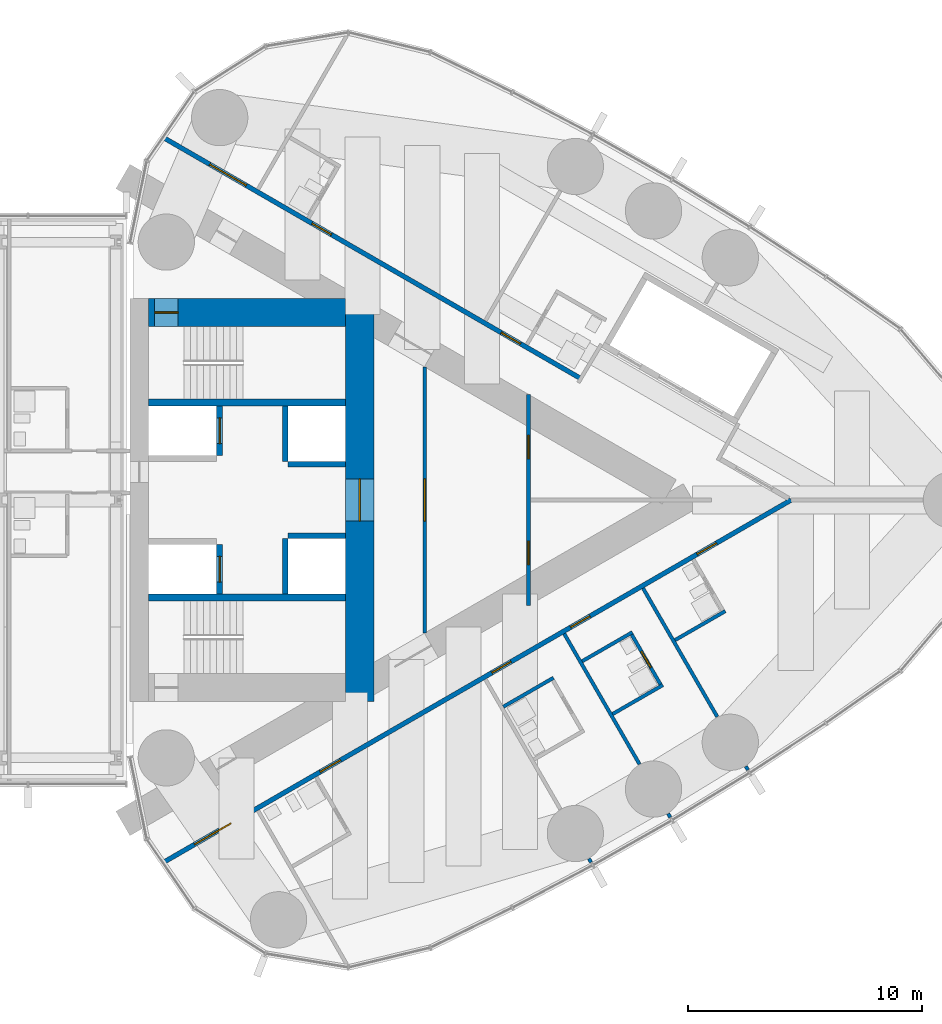
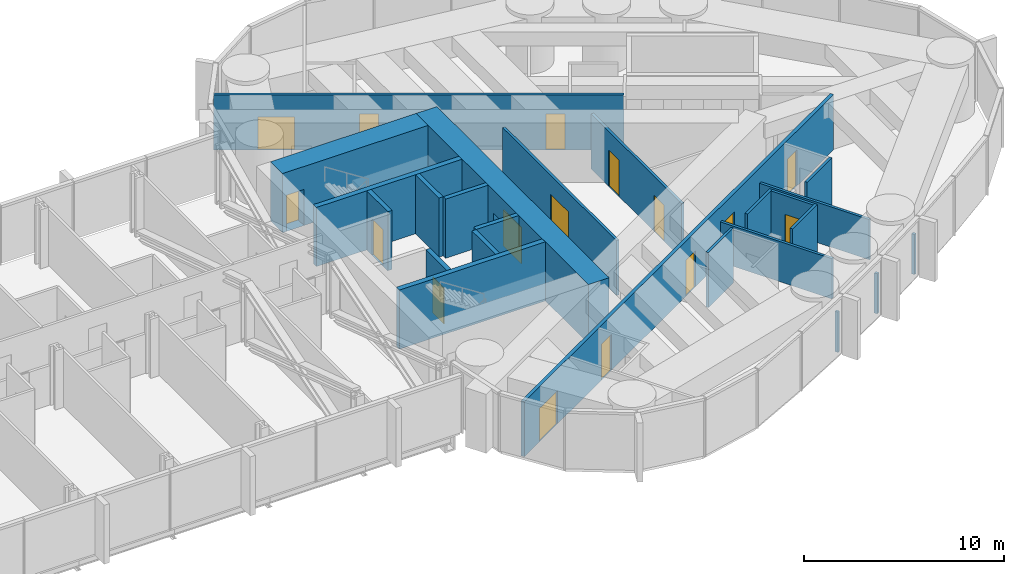
# One storey, part 19 of 23: 24 walls, 16 doors, 16 openings.
"""IFC4 building model written with IfcOpenShell, lengths in metres."""

from ifc_helpers import new_model, si_unit, direction, frame, frame_2d, origin, place, context, subcontext, project, spatial, rectangle, extrude, material, layer, layer_set, type_object, element, fill, save


model = new_model("IFC4")

# Units and contexts
model_context = context("Model", 3, precision=1e-05, world=origin(), true_north=direction((0.0, 1.0)))
body_context = subcontext(model_context, "Body", "Model", "MODEL_VIEW")
ifc_project = project(units=[si_unit("LENGTHUNIT", "METRE"), si_unit("AREAUNIT", "SQUARE_METRE"), si_unit("VOLUMEUNIT", "CUBIC_METRE"), si_unit("PLANEANGLEUNIT", "RADIAN"), si_unit("MASSUNIT", "GRAM", prefix="KILO")], contexts=[model_context])

# Site, building, storey
site_placement = place(None, origin())
site = spatial("IfcSite", under=ifc_project, at=site_placement, CompositionType="ELEMENT")
building_placement = place(site_placement, origin())
building = spatial("IfcBuilding", under=site, at=building_placement, Name="Lancet Gate Hotel", CompositionType="ELEMENT")
storey_placement = place(building_placement, frame((0.0, 0.0, 218.89990234375)))
storey = spatial("IfcBuildingStorey", under=building, at=storey_placement, Name="L58", CompositionType="ELEMENT", Elevation=218.89990234375)

# Walls
ifc_material_1 = material(Name="Moisture resistant board partition")
ifc_layer_1 = layer(ifc_material_1, 0.14990234375)
ifc_layer_set_1 = layer_set([ifc_layer_1], Name="Bathroom wall 150")
wall_type_1 = type_object("IfcWallType", Name="Bathroom wall 150", PredefinedType="PARTITIONING", material=ifc_layer_set_1)
for number, where, z_axis, x_axis, name in (
    (1, (43.424560546875, -8.820556640625, 0.0), (0.0, 0.0, 1.0), (0.866006523861, 0.500032699561, 0.0), "T2 bathroom wall 150 L58"),
    (2, (48.087890625, -9.13037109375, 0.0), (0.0, 0.0, 1.0), (0.86604923931, 0.499958713387, 0.0), "T2 bathroom wall 150 L58"),
):
    element("IfcWall", number, at=place(storey_placement, frame(where, z_axis=z_axis, x_axis=x_axis)), inside=storey, type_object=wall_type_1, Name=name, PredefinedType="PARTITIONING", context=body_context, shape_type="SweptSolid", body=[
        extrude(rectangle(XDim=2.474853515625, YDim=0.14990234375, at=frame_2d((1.2373046875, 0.0))), origin(), (0.0, 0.0, 1.0), 3.35009765625),
    ])

# Wall, opening, door
wall_1_placement = place(storey_placement, frame((48.8662109375, -5.6787109375, 0.0), z_axis=(0.0, 0.0, 1.0), x_axis=(0.500006934395, -0.866021400173, 0.0)))
wall_1 = element("IfcWall", 3, at=wall_1_placement, inside=storey, type_object=wall_type_1, Name="T2 bathroom wall 150 L58", PredefinedType="PARTITIONING", context=body_context, shape_type="SweptSolid", body=[
    extrude(rectangle(XDim=2.60009765625, YDim=0.14990234375, at=frame_2d((1.300048828125, 0.0))), origin(), (0.0, 0.0, 1.0), 3.35009765625),
])
opening_1_placement = place(wall_1_placement, frame((0.89990234375, 0.0, 0.0)))
opening_1 = element("IfcOpeningElement", 4, at=opening_1_placement, cuts=wall_1, Name="Opening 5854-B", PredefinedType="OPENING", context=body_context, shape_type="SweptSolid", body=[
    extrude(rectangle(XDim=0.800048828125, YDim=2.199951171875, at=frame_2d((0.39990234375, 1.10009765625))), frame((0.0, 0.0849609375, 0.0), z_axis=(0.0, -1.0, 0.0), x_axis=(1.0, 0.0, 0.0)), (0.0, 0.0, 1.0), 0.169921875),
])
ifc_material_2 = material(Name="Timber door set", Category="wood")
door_type_1 = type_object("IfcDoorType", Name="Bathroom door 800", OperationType="SINGLE_SWING_RIGHT", PredefinedType="DOOR", material=ifc_material_2)
door_1_placement = place(opening_1_placement, origin())
door_1 = element("IfcDoor", 5, at=door_1_placement, inside=storey, type_object=door_type_1, Name="5854-B", OperationType="SINGLE_SWING_RIGHT", OverallHeight=2.199951171875, OverallWidth=0.800048828125, PredefinedType="DOOR", context=body_context, shape_type="SweptSolid", body=[
    extrude(rectangle(XDim=0.800048828125, YDim=2.199951171875, at=frame_2d((0.39990234375, 1.10009765625))), frame((0.0, 0.02490234375, 0.0), z_axis=(0.0, -1.0, 0.0), x_axis=(1.0, 0.0, 0.0)), (0.0, 0.0, 1.0), 0.050048828125),
])
fill(opening_1, door_1)

# Walls
wall_2_placement = place(storey_placement, frame((46.787841796875, -6.87890625, 0.0), z_axis=(0.0, 0.0, 1.0), x_axis=(0.866006523861, 0.500032699561, 0.0)))
element("IfcWall", 6, at=wall_2_placement, inside=storey, type_object=wall_type_1, Name="T2 bathroom wall 150 L58", PredefinedType="PARTITIONING", context=body_context, shape_type="SweptSolid", body=[
    extrude(rectangle(XDim=2.474853515625, YDim=0.14990234375, at=frame_2d((1.2373046875, 0.0))), origin(), (0.0, 0.0, 1.0), 3.35009765625),
])
wall_3_placement = place(storey_placement, frame((50.75, -5.976806640625, 0.0), z_axis=(0.0, 0.0, 1.0), x_axis=(0.866031185235, 0.4999899861, 0.0)))
element("IfcWall", 7, at=wall_3_placement, inside=storey, type_object=wall_type_1, Name="T2 bathroom wall 150 L58", PredefinedType="PARTITIONING", context=body_context, shape_type="SweptSolid", body=[
    extrude(rectangle(XDim=2.47509765625, YDim=0.14990234375, at=frame_2d((1.237548828125, 0.0))), origin(), (0.0, 0.0, 1.0), 3.35009765625),
])

# Wall, opening, door
ifc_material_3 = material(Name="Concrete C70/85", Category="concrete")
ifc_layer_2 = layer(ifc_material_3, 1.199951171875)
ifc_layer_set_2 = layer_set([ifc_layer_2], Name="Core wall 1200")
wall_type_2 = type_object("IfcWallType", Name="Core wall 1200", PredefinedType="SHEAR", material=ifc_layer_set_2)
wall_4_placement = place(storey_placement, frame((37.300048828125, -8.60009765625, 0.0), z_axis=(0.0, 0.0, 1.0), x_axis=(0.0, 1.0, 0.0)))
wall_4 = element("IfcWall", 8, at=wall_4_placement, inside=storey, type_object=wall_type_2, Name="T2 core wall back L58", PredefinedType="SHEAR", context=body_context, shape_type="SweptSolid", body=[
    extrude(rectangle(XDim=17.2001953125, YDim=1.199951171875, at=frame_2d((8.60009765625, 0.0))), origin(), (0.0, 0.0, 1.0), 3.60009765625),
])
opening_2_placement = place(wall_4_placement, frame((7.699951171875, 0.0, 0.0)))
opening_2 = element("IfcOpeningElement", 9, at=opening_2_placement, cuts=wall_4, Name="Opening T2-L58-LL", PredefinedType="OPENING", context=body_context, shape_type="SweptSolid", body=[
    extrude(rectangle(XDim=1.800048828125, YDim=2.199951171875, at=frame_2d((0.89990234375, 1.10009765625))), frame((0.0, 0.60986328125, 0.0), z_axis=(0.0, -1.0, 0.0), x_axis=(1.0, 0.0, 0.0)), (0.0, 0.0, 1.0), 1.219970703125),
])
ifc_material_4 = material(Name="Timber door set", Category="wood")
door_type_2 = type_object("IfcDoorType", Name="Lobby double door 1800", OperationType="DOUBLE_DOOR_SINGLE_SWING", PredefinedType="DOOR", material=ifc_material_4)
door_2_placement = place(opening_2_placement, origin())
door_2 = element("IfcDoor", 10, at=door_2_placement, inside=storey, type_object=door_type_2, Name="T2-L58-LL", OperationType="DOUBLE_DOOR_SINGLE_SWING", OverallHeight=2.199951171875, OverallWidth=1.800048828125, PredefinedType="DOOR", context=body_context, shape_type="SweptSolid", body=[
    extrude(rectangle(XDim=1.800048828125, YDim=2.199951171875, at=frame_2d((0.89990234375, 1.10009765625))), frame((0.0, 0.02490234375, 0.0), z_axis=(0.0, -1.0, 0.0), x_axis=(1.0, 0.0, 0.0)), (0.0, 0.0, 1.0), 0.050048828125),
])
fill(opening_2, door_2)

wall_5_placement = place(storey_placement, frame((28.300048828125, 8.0, 0.0), z_axis=(0.0, 0.0, 1.0), x_axis=(1.0, 0.0, 0.0)))
wall_5 = element("IfcWall", 11, at=wall_5_placement, inside=storey, type_object=wall_type_2, Name="T2 core wall side-N L58", PredefinedType="SHEAR", context=body_context, shape_type="SweptSolid", body=[
    extrude(rectangle(XDim=8.39990234375, YDim=1.199951171875, at=frame_2d((4.199951171875, 0.0))), origin(), (0.0, 0.0, 1.0), 3.60009765625),
])
opening_3_placement = place(wall_5_placement, frame((0.25, 0.0, 0.0)))
opening_3 = element("IfcOpeningElement", 12, at=opening_3_placement, cuts=wall_5, Name="Opening T2-L58-ST2", PredefinedType="OPENING", context=body_context, shape_type="SweptSolid", body=[
    extrude(rectangle(XDim=1.0, YDim=2.199951171875, at=frame_2d((0.5, 1.10009765625))), frame((0.0, 0.60986328125, 0.0), z_axis=(0.0, -1.0, 0.0), x_axis=(1.0, 0.0, 0.0)), (0.0, 0.0, 1.0), 1.219970703125),
])
ifc_material_5 = material(Name="Timber door set", Category="wood")
door_type_3 = type_object("IfcDoorType", Name="Stair door 1000", OperationType="SINGLE_SWING_RIGHT", PredefinedType="DOOR", material=ifc_material_5)
door_3_placement = place(opening_3_placement, origin())
door_3 = element("IfcDoor", 13, at=door_3_placement, inside=storey, type_object=door_type_3, Name="T2-L58-ST2", OperationType="SINGLE_SWING_RIGHT", OverallHeight=2.199951171875, OverallWidth=1.0, PredefinedType="DOOR", context=body_context, shape_type="SweptSolid", body=[
    extrude(rectangle(XDim=1.0, YDim=2.199951171875, at=frame_2d((0.5, 1.10009765625))), frame((0.0, 0.02490234375, 0.0), z_axis=(0.0, -1.0, 0.0), x_axis=(1.0, 0.0, 0.0)), (0.0, 0.0, 1.0), 0.050048828125),
])
fill(opening_3, door_3)

# Wall, openings, doors
ifc_material_6 = material(Name="Gypsum board partition")
ifc_layer_3 = layer(ifc_material_6, 0.199951171875)
ifc_layer_set_3 = layer_set([ifc_layer_3], Name="Corridor wall 200")
wall_type_3 = type_object("IfcWallType", Name="Corridor wall 200", PredefinedType="PARTITIONING", material=ifc_layer_set_3)
wall_6_placement = place(storey_placement, frame((28.958984375, -15.440185546875, 0.0), z_axis=(0.0, 0.0, 1.0), x_axis=(0.866025227435, 0.500000305447, 0.0)))
wall_6 = element("IfcWall", 14, at=wall_6_placement, inside=storey, type_object=wall_type_3, Name="T2 corridor wall 200 L58", PredefinedType="PARTITIONING", context=body_context, shape_type="SweptSolid", body=[
    extrude(rectangle(XDim=30.88037109375, YDim=0.199951171875, at=frame_2d((15.440185546875, 0.0))), origin(), (0.0, 0.0, 1.0), 3.35009765625),
])
opening_4_placement = place(wall_6_placement, frame((1.49365234375, 0.0, 0.0)))
opening_4 = element("IfcOpeningElement", 15, at=opening_4_placement, cuts=wall_6, Name="Opening 5851-E", PredefinedType="OPENING", context=body_context, shape_type="SweptSolid", body=[
    extrude(rectangle(XDim=1.800048828125, YDim=2.030029296875, at=frame_2d((0.89990234375, 1.01513671875))), frame((0.0, 0.10986328125, 0.0), z_axis=(0.0, -1.0, 0.0), x_axis=(1.0, 0.0, 0.0)), (0.0, 0.0, 1.0), 0.219970703125),
])
opening_5_placement = place(wall_6_placement, frame((7.687255859375, 0.0, 0.0)))
opening_5 = element("IfcOpeningElement", 16, at=opening_5_placement, cuts=wall_6, Name="Opening 5852-E", PredefinedType="OPENING", context=body_context, shape_type="SweptSolid", body=[
    extrude(rectangle(XDim=1.0, YDim=2.199951171875, at=frame_2d((0.5, 1.10009765625))), frame((0.0, 0.10986328125, 0.0), z_axis=(0.0, -1.0, 0.0), x_axis=(1.0, 0.0, 0.0)), (0.0, 0.0, 1.0), 0.219970703125),
])
opening_6_placement = place(wall_6_placement, frame((16.13720703125, 0.0, 0.0)))
opening_6 = element("IfcOpeningElement", 17, at=opening_6_placement, cuts=wall_6, Name="Opening 5853-E", PredefinedType="OPENING", context=body_context, shape_type="SweptSolid", body=[
    extrude(rectangle(XDim=0.949951171875, YDim=2.199951171875, at=frame_2d((0.47509765625, 1.10009765625))), frame((0.0, 0.10986328125, 0.0), z_axis=(0.0, -1.0, 0.0), x_axis=(1.0, 0.0, 0.0)), (0.0, 0.0, 1.0), 0.219970703125),
])
opening_7_placement = place(wall_6_placement, frame((20.020751953125, 0.0, 0.0)))
opening_7 = element("IfcOpeningElement", 18, at=opening_7_placement, cuts=wall_6, Name="Opening 5854-E", PredefinedType="OPENING", context=body_context, shape_type="SweptSolid", body=[
    extrude(rectangle(XDim=0.949951171875, YDim=2.199951171875, at=frame_2d((0.47509765625, 1.10009765625))), frame((0.0, 0.10986328125, 0.0), z_axis=(0.0, -1.0, 0.0), x_axis=(1.0, 0.0, 0.0)), (0.0, 0.0, 1.0), 0.219970703125),
])
opening_8_placement = place(wall_6_placement, frame((26.25341796875, 0.0, 0.0)))
opening_8 = element("IfcOpeningElement", 19, at=opening_8_placement, cuts=wall_6, Name="Opening 5855-E", PredefinedType="OPENING", context=body_context, shape_type="SweptSolid", body=[
    extrude(rectangle(XDim=0.949951171875, YDim=2.199951171875, at=frame_2d((0.47509765625, 1.10009765625))), frame((0.0, 0.10986328125, 0.0), z_axis=(0.0, -1.0, 0.0), x_axis=(1.0, 0.0, 0.0)), (0.0, 0.0, 1.0), 0.219970703125),
])
ifc_material_7 = material(Name="Timber door set", Category="wood")
door_type_4 = type_object("IfcDoorType", Name="Accessible guest room door 1000", OperationType="SINGLE_SWING_LEFT", PredefinedType="DOOR", material=ifc_material_7)
door_4_placement = place(opening_5_placement, origin())
door_4 = element("IfcDoor", 20, at=door_4_placement, inside=storey, type_object=door_type_4, Name="5852-E", OperationType="SINGLE_SWING_LEFT", OverallHeight=2.199951171875, OverallWidth=1.0, PredefinedType="DOOR", context=body_context, shape_type="SweptSolid", body=[
    extrude(rectangle(XDim=1.0, YDim=2.199951171875, at=frame_2d((0.5, 1.10009765625))), frame((0.0, 0.02490234375, 0.0), z_axis=(0.0, -1.0, 0.0), x_axis=(1.0, 0.0, 0.0)), (0.0, 0.0, 1.0), 0.050048828125),
])
fill(opening_5, door_4)
ifc_material_8 = material(Name="Timber door set", Category="wood")
door_type_5 = type_object("IfcDoorType", Name="Double door 1800, 2030 high", OperationType="DOUBLE_DOOR_SINGLE_SWING", PredefinedType="DOOR", material=ifc_material_8)
door_5_placement = place(opening_4_placement, origin())
door_5 = element("IfcDoor", 21, at=door_5_placement, inside=storey, type_object=door_type_5, Name="5851-E", OperationType="DOUBLE_DOOR_SINGLE_SWING", OverallHeight=2.030029296875, OverallWidth=1.800048828125, PredefinedType="DOOR", context=body_context, shape_type="SweptSolid", body=[
    extrude(rectangle(XDim=1.800048828125, YDim=2.030029296875, at=frame_2d((0.89990234375, 1.01513671875))), frame((0.0, 0.02490234375, 0.0), z_axis=(0.0, -1.0, 0.0), x_axis=(1.0, 0.0, 0.0)), (0.0, 0.0, 1.0), 0.050048828125),
])
fill(opening_4, door_5)
ifc_material_9 = material(Name="Timber door set", Category="wood")
door_type_6 = type_object("IfcDoorType", Name="Guest room entry door 950", OperationType="SINGLE_SWING_LEFT", PredefinedType="DOOR", material=ifc_material_9)
door_6_placement = place(opening_6_placement, origin())
door_6 = element("IfcDoor", 22, at=door_6_placement, inside=storey, type_object=door_type_6, Name="5853-E", OperationType="SINGLE_SWING_LEFT", OverallHeight=2.199951171875, OverallWidth=0.949951171875, PredefinedType="DOOR", context=body_context, shape_type="SweptSolid", body=[
    extrude(rectangle(XDim=0.949951171875, YDim=2.199951171875, at=frame_2d((0.47509765625, 1.10009765625))), frame((0.0, 0.02490234375, 0.0), z_axis=(0.0, -1.0, 0.0), x_axis=(1.0, 0.0, 0.0)), (0.0, 0.0, 1.0), 0.050048828125),
])
fill(opening_6, door_6)
door_7_placement = place(opening_7_placement, origin())
door_7 = element("IfcDoor", 23, at=door_7_placement, inside=storey, type_object=door_type_6, Name="5854-E", OperationType="SINGLE_SWING_LEFT", OverallHeight=2.199951171875, OverallWidth=0.949951171875, PredefinedType="DOOR", context=body_context, shape_type="SweptSolid", body=[
    extrude(rectangle(XDim=0.949951171875, YDim=2.199951171875, at=frame_2d((0.47509765625, 1.10009765625))), frame((0.0, 0.02490234375, 0.0), z_axis=(0.0, -1.0, 0.0), x_axis=(1.0, 0.0, 0.0)), (0.0, 0.0, 1.0), 0.050048828125),
])
fill(opening_7, door_7)
door_8_placement = place(opening_8_placement, origin())
door_8 = element("IfcDoor", 24, at=door_8_placement, inside=storey, type_object=door_type_6, Name="5855-E", OperationType="SINGLE_SWING_LEFT", OverallHeight=2.199951171875, OverallWidth=0.949951171875, PredefinedType="DOOR", context=body_context, shape_type="SweptSolid", body=[
    extrude(rectangle(XDim=0.949951171875, YDim=2.199951171875, at=frame_2d((0.47509765625, 1.10009765625))), frame((0.0, 0.02490234375, 0.0), z_axis=(0.0, -1.0, 0.0), x_axis=(1.0, 0.0, 0.0)), (0.0, 0.0, 1.0), 0.050048828125),
])
fill(opening_8, door_8)

wall_7_placement = place(storey_placement, frame((28.958984375, 15.440185546875, 0.0), z_axis=(0.0, 0.0, 1.0), x_axis=(0.866028936079, -0.499993881836, 0.0)))
wall_7 = element("IfcWall", 25, at=wall_7_placement, inside=storey, type_object=wall_type_3, Name="T2 corridor wall 200 L58", PredefinedType="PARTITIONING", context=body_context, shape_type="SweptSolid", body=[
    extrude(rectangle(XDim=20.503173828125, YDim=0.199951171875, at=frame_2d((10.25146484375, 0.0))), origin(), (0.0, 0.0, 1.0), 3.35009765625),
])
opening_9_placement = place(wall_7_placement, frame((16.60302734375, 0.0, 0.0)))
opening_9 = element("IfcOpeningElement", 26, at=opening_9_placement, cuts=wall_7, Name="Opening 5858-E", PredefinedType="OPENING", context=body_context, shape_type="SweptSolid", body=[
    extrude(rectangle(XDim=0.949951171875, YDim=2.199951171875, at=frame_2d((0.47509765625, 1.10009765625))), frame((0.0, 0.10986328125, 0.0), z_axis=(0.0, -1.0, 0.0), x_axis=(1.0, 0.0, 0.0)), (0.0, 0.0, 1.0), 0.219970703125),
])
opening_10_placement = place(wall_7_placement, frame((7.287109375, 0.0, 0.0)))
opening_10 = element("IfcOpeningElement", 27, at=opening_10_placement, cuts=wall_7, Name="Opening 5859-E", PredefinedType="OPENING", context=body_context, shape_type="SweptSolid", body=[
    extrude(rectangle(XDim=0.949951171875, YDim=2.199951171875, at=frame_2d((0.47509765625, 1.10009765625))), frame((0.0, 0.10986328125, 0.0), z_axis=(0.0, -1.0, 0.0), x_axis=(1.0, 0.0, 0.0)), (0.0, 0.0, 1.0), 0.219970703125),
])
opening_11_placement = place(wall_7_placement, frame((2.243896484375, 0.0, 0.0)))
opening_11 = element("IfcOpeningElement", 28, at=opening_11_placement, cuts=wall_7, Name="Opening 5860-E", PredefinedType="OPENING", context=body_context, shape_type="SweptSolid", body=[
    extrude(rectangle(XDim=1.800048828125, YDim=2.030029296875, at=frame_2d((0.89990234375, 1.01513671875))), frame((0.0, 0.10986328125, 0.0), z_axis=(0.0, -1.0, 0.0), x_axis=(1.0, 0.0, 0.0)), (0.0, 0.0, 1.0), 0.219970703125),
])
door_9_placement = place(opening_11_placement, origin())
door_9 = element("IfcDoor", 29, at=door_9_placement, inside=storey, type_object=door_type_5, Name="5860-E", OperationType="DOUBLE_DOOR_SINGLE_SWING", OverallHeight=2.030029296875, OverallWidth=1.800048828125, PredefinedType="DOOR", context=body_context, shape_type="SweptSolid", body=[
    extrude(rectangle(XDim=1.800048828125, YDim=2.030029296875, at=frame_2d((0.89990234375, 1.01513671875))), frame((0.0, 0.02490234375, 0.0), z_axis=(0.0, -1.0, 0.0), x_axis=(1.0, 0.0, 0.0)), (0.0, 0.0, 1.0), 0.050048828125),
])
fill(opening_11, door_9)
door_10_placement = place(opening_9_placement, origin())
door_10 = element("IfcDoor", 30, at=door_10_placement, inside=storey, type_object=door_type_6, Name="5858-E", OperationType="SINGLE_SWING_LEFT", OverallHeight=2.199951171875, OverallWidth=0.949951171875, PredefinedType="DOOR", context=body_context, shape_type="SweptSolid", body=[
    extrude(rectangle(XDim=0.949951171875, YDim=2.199951171875, at=frame_2d((0.47509765625, 1.10009765625))), frame((0.0, 0.02490234375, 0.0), z_axis=(0.0, -1.0, 0.0), x_axis=(1.0, 0.0, 0.0)), (0.0, 0.0, 1.0), 0.050048828125),
])
fill(opening_9, door_10)
door_11_placement = place(opening_10_placement, origin())
door_11 = element("IfcDoor", 31, at=door_11_placement, inside=storey, type_object=door_type_6, Name="5859-E", OperationType="SINGLE_SWING_LEFT", OverallHeight=2.199951171875, OverallWidth=0.949951171875, PredefinedType="DOOR", context=body_context, shape_type="SweptSolid", body=[
    extrude(rectangle(XDim=0.949951171875, YDim=2.199951171875, at=frame_2d((0.47509765625, 1.10009765625))), frame((0.0, 0.02490234375, 0.0), z_axis=(0.0, -1.0, 0.0), x_axis=(1.0, 0.0, 0.0)), (0.0, 0.0, 1.0), 0.050048828125),
])
fill(opening_10, door_11)

# Wall, opening, door
ifc_material_10 = material(Name="Concrete C50/60", Category="concrete")
ifc_layer_4 = layer(ifc_material_10, 0.25)
ifc_layer_set_4 = layer_set([ifc_layer_4], Name="Lift shaft wall 250")
wall_type_4 = type_object("IfcWallType", Name="Lift shaft wall 250", PredefinedType="SHEAR", material=ifc_layer_set_4)
wall_8_placement = place(storey_placement, frame((31.324951171875, -4.0, 0.0), z_axis=(0.0, 0.0, 1.0), x_axis=(0.0, 1.0, 0.0)))
wall_8 = element("IfcWall", 32, at=wall_8_placement, inside=storey, type_object=wall_type_4, Name="T2 core wall row1-S L58", PredefinedType="SHEAR", context=body_context, shape_type="SweptSolid", body=[
    extrude(rectangle(XDim=2.10009765625, YDim=0.25, at=frame_2d((1.050048828125, 0.0))), origin(), (0.0, 0.0, 1.0), 3.60009765625),
])
opening_12_placement = place(wall_8_placement, frame((0.5, 0.0, 0.0)))
opening_12 = element("IfcOpeningElement", 33, at=opening_12_placement, cuts=wall_8, Name="Opening T2-SL1-L58", PredefinedType="OPENING", context=body_context, shape_type="SweptSolid", body=[
    extrude(rectangle(XDim=1.10009765625, YDim=2.199951171875, at=frame_2d((0.550048828125, 1.10009765625))), frame((0.0, 0.135009765625, 0.0), z_axis=(0.0, -1.0, 0.0), x_axis=(1.0, 0.0, 0.0)), (0.0, 0.0, 1.0), 0.27001953125),
])
ifc_material_11 = material(Name="Timber door set", Category="wood")
door_type_7 = type_object("IfcDoorType", Name="Service lift landing door 1100", OperationType="SLIDING_TO_LEFT", PredefinedType="USERDEFINED", material=ifc_material_11)
door_12_placement = place(opening_12_placement, origin())
door_12 = element("IfcDoor", 34, at=door_12_placement, inside=storey, type_object=door_type_7, Name="T2-SL1-L58", ObjectType="LIFT LANDING DOOR", OperationType="SLIDING_TO_LEFT", OverallHeight=2.199951171875, OverallWidth=1.10009765625, PredefinedType="USERDEFINED", context=body_context, shape_type="SweptSolid", body=[
    extrude(rectangle(XDim=1.10009765625, YDim=2.199951171875, at=frame_2d((0.550048828125, 1.10009765625))), frame((0.0, 0.02490234375, 0.0), z_axis=(0.0, -1.0, 0.0), x_axis=(1.0, 0.0, 0.0)), (0.0, 0.0, 1.0), 0.050048828125),
])
fill(opening_12, door_12)

# Walls
wall_9_placement = place(storey_placement, frame((34.125, -4.0, 0.0), z_axis=(0.0, 0.0, 1.0), x_axis=(0.0, 1.0, 0.0)))
element("IfcWall", 35, at=wall_9_placement, inside=storey, type_object=wall_type_4, Name="T2 core wall row2-S L58", PredefinedType="SHEAR", context=body_context, shape_type="SweptSolid", body=[
    extrude(rectangle(XDim=2.35009765625, YDim=0.25, at=frame_2d((1.175048828125, 0.0))), origin(), (0.0, 0.0, 1.0), 3.60009765625),
])
wall_10_placement = place(storey_placement, frame((34.25, -1.52490234375, 0.0), z_axis=(0.0, 0.0, 1.0), x_axis=(1.0, 0.0, 0.0)))
element("IfcWall", 36, at=wall_10_placement, inside=storey, type_object=wall_type_4, Name="T2 core wall pass2-S L58", PredefinedType="SHEAR", context=body_context, shape_type="SweptSolid", body=[
    extrude(rectangle(XDim=2.449951171875, YDim=0.25, at=frame_2d((1.22509765625, 0.0))), origin(), (0.0, 0.0, 1.0), 3.60009765625),
])

# Wall, opening, door
wall_11_placement = place(storey_placement, frame((31.324951171875, 1.89990234375, 0.0), z_axis=(0.0, 0.0, 1.0), x_axis=(0.0, 1.0, 0.0)))
wall_11 = element("IfcWall", 37, at=wall_11_placement, inside=storey, type_object=wall_type_4, Name="T2 core wall row1-N L58", PredefinedType="SHEAR", context=body_context, shape_type="SweptSolid", body=[
    extrude(rectangle(XDim=2.10009765625, YDim=0.25, at=frame_2d((1.050048828125, 0.0))), origin(), (0.0, 0.0, 1.0), 3.60009765625),
])
opening_13_placement = place(wall_11_placement, frame((0.5, 0.0, 0.0)))
opening_13 = element("IfcOpeningElement", 38, at=opening_13_placement, cuts=wall_11, Name="Opening T2-FL2-L58", PredefinedType="OPENING", context=body_context, shape_type="SweptSolid", body=[
    extrude(rectangle(XDim=1.10009765625, YDim=2.199951171875, at=frame_2d((0.550048828125, 1.10009765625))), frame((0.0, 0.135009765625, 0.0), z_axis=(0.0, -1.0, 0.0), x_axis=(1.0, 0.0, 0.0)), (0.0, 0.0, 1.0), 0.27001953125),
])
ifc_material_12 = material(Name="Steel door set", Category="steel")
door_type_8 = type_object("IfcDoorType", Name="Firefighting lift landing door 1100", OperationType="SLIDING_TO_LEFT", PredefinedType="USERDEFINED", material=ifc_material_12)
door_13_placement = place(opening_13_placement, origin())
door_13 = element("IfcDoor", 39, at=door_13_placement, inside=storey, type_object=door_type_8, Name="T2-FL2-L58", ObjectType="LIFT LANDING DOOR", OperationType="SLIDING_TO_LEFT", OverallHeight=2.199951171875, OverallWidth=1.10009765625, PredefinedType="USERDEFINED", context=body_context, shape_type="SweptSolid", body=[
    extrude(rectangle(XDim=1.10009765625, YDim=2.199951171875, at=frame_2d((0.550048828125, 1.10009765625))), frame((0.0, 0.02490234375, 0.0), z_axis=(0.0, -1.0, 0.0), x_axis=(1.0, 0.0, 0.0)), (0.0, 0.0, 1.0), 0.050048828125),
])
fill(opening_13, door_13)

# Walls
wall_12_placement = place(storey_placement, frame((34.125, 1.64990234375, 0.0), z_axis=(0.0, 0.0, 1.0), x_axis=(0.0, 1.0, 0.0)))
element("IfcWall", 40, at=wall_12_placement, inside=storey, type_object=wall_type_4, Name="T2 core wall row2-N L58", PredefinedType="SHEAR", context=body_context, shape_type="SweptSolid", body=[
    extrude(rectangle(XDim=2.35009765625, YDim=0.25, at=frame_2d((1.175048828125, 0.0))), origin(), (0.0, 0.0, 1.0), 3.60009765625),
])
wall_13_placement = place(storey_placement, frame((34.25, 1.52490234375, 0.0), z_axis=(0.0, 0.0, 1.0), x_axis=(1.0, 0.0, 0.0)))
element("IfcWall", 41, at=wall_13_placement, inside=storey, type_object=wall_type_4, Name="T2 core wall pass2-N L58", PredefinedType="SHEAR", context=body_context, shape_type="SweptSolid", body=[
    extrude(rectangle(XDim=2.449951171875, YDim=0.25, at=frame_2d((1.22509765625, 0.0))), origin(), (0.0, 0.0, 1.0), 3.60009765625),
])
ifc_material_13 = material(Name="Gypsum board partition")
ifc_layer_5 = layer(ifc_material_13, 0.14990234375)
ifc_layer_set_5 = layer_set([ifc_layer_5], Name="Party wall 150")
wall_type_5 = type_object("IfcWallType", Name="Party wall 150", PredefinedType="PARTITIONING", material=ifc_layer_set_5)
wall_14_placement = place(storey_placement, frame((47.078857421875, -15.2998046875, 0.0), z_axis=(0.0, 0.0, 1.0), x_axis=(0.499212083968, -0.866479829667, 0.0)))
element("IfcWall", 42, at=wall_14_placement, inside=storey, type_object=wall_type_5, Name="T2 party wall 150 L58", PredefinedType="PARTITIONING", context=body_context, shape_type="SweptSolid", body=[
    extrude(rectangle(XDim=0.179443359375, YDim=0.14990234375, at=frame_2d((0.08984375, 0.0))), origin(), (0.0, 0.0, 1.0), 2.4501953125),
])
wall_15_placement = place(storey_placement, frame((46.02294921875, -5.703857421875, 0.0), z_axis=(0.0, 0.0, 1.0), x_axis=(0.499984478165, -0.866034365135, 0.0)))
element("IfcWall", 43, at=wall_15_placement, inside=storey, type_object=wall_type_5, Name="T2 party wall 150 L58", PredefinedType="PARTITIONING", context=body_context, shape_type="SweptSolid", body=[
    extrude(rectangle(XDim=6.425537109375, YDim=0.14990234375, at=frame_2d((3.212890625, 0.0))), origin(), (0.0, 0.0, 1.0), 2.4501953125),
])
wall_16_placement = place(storey_placement, frame((50.45556640625, -13.381591796875, 0.0), z_axis=(0.0, 0.0, 1.0), x_axis=(0.500661834965, -0.865642955848, 0.0)))
element("IfcWall", 44, at=wall_16_placement, inside=storey, type_object=wall_type_5, Name="T2 party wall 150 L58", PredefinedType="PARTITIONING", context=body_context, shape_type="SweptSolid", body=[
    extrude(rectangle(XDim=0.179931640625, YDim=0.14990234375, at=frame_2d((0.08984375, 0.0))), origin(), (0.0, 0.0, 1.0), 2.4501953125),
])
wall_17_placement = place(storey_placement, frame((49.38525390625, -3.7626953125, 0.0), z_axis=(0.0, 0.0, 1.0), x_axis=(0.499999447814, -0.866025722589, 0.0)))
element("IfcWall", 45, at=wall_17_placement, inside=storey, type_object=wall_type_5, Name="T2 party wall 150 L58", PredefinedType="PARTITIONING", context=body_context, shape_type="SweptSolid", body=[
    extrude(rectangle(XDim=6.33251953125, YDim=0.14990234375, at=frame_2d((3.166259765625, 0.0))), origin(), (0.0, 0.0, 1.0), 2.4501953125),
])
wall_18_placement = place(storey_placement, frame((53.771484375, -11.35986328125, 0.0), z_axis=(0.0, 0.0, 1.0), x_axis=(0.499524978789, -0.866299483762, 0.0)))
element("IfcWall", 46, at=wall_18_placement, inside=storey, type_object=wall_type_5, Name="T2 party wall 150 L58", PredefinedType="PARTITIONING", context=body_context, shape_type="SweptSolid", body=[
    extrude(rectangle(XDim=0.178466796875, YDim=0.14990234375, at=frame_2d((0.08935546875, 0.0))), origin(), (0.0, 0.0, 1.0), 2.4501953125),
])

# Wall, opening, door
ifc_material_14 = material(Name="Gypsum board partition")
ifc_layer_6 = layer(ifc_material_14, 0.14990234375)
ifc_layer_set_6 = layer_set([ifc_layer_6], Name="Service room wall 150")
wall_type_6 = type_object("IfcWallType", Name="Service room wall 150", PredefinedType="PARTITIONING", material=ifc_layer_set_6)
wall_19_placement = place(storey_placement, frame((40.074951171875, -5.673828125, 0.0), z_axis=(0.0, 0.0, 1.0), x_axis=(0.0, 1.0, 0.0)))
wall_19 = element("IfcWall", 47, at=wall_19_placement, inside=storey, type_object=wall_type_6, Name="T2 service room wall 150 L58", PredefinedType="PARTITIONING", context=body_context, shape_type="SweptSolid", body=[
    extrude(rectangle(XDim=11.34765625, YDim=0.14990234375, at=frame_2d((5.673828125, 0.0))), origin(), (0.0, 0.0, 1.0), 3.35009765625),
])
opening_14_placement = place(wall_19_placement, frame((4.773681640625, 0.0, 0.0)))
opening_14 = element("IfcOpeningElement", 48, at=opening_14_placement, cuts=wall_19, Name="Opening T2-L58-LH", PredefinedType="OPENING", context=body_context, shape_type="SweptSolid", body=[
    extrude(rectangle(XDim=1.800048828125, YDim=2.199951171875, at=frame_2d((0.89990234375, 1.10009765625))), frame((0.0, 0.0849609375, 0.0), z_axis=(0.0, -1.0, 0.0), x_axis=(1.0, 0.0, 0.0)), (0.0, 0.0, 1.0), 0.169921875),
])
door_14_placement = place(opening_14_placement, origin())
door_14 = element("IfcDoor", 49, at=door_14_placement, inside=storey, type_object=door_type_2, Name="T2-L58-LH", OperationType="DOUBLE_DOOR_SINGLE_SWING", OverallHeight=2.199951171875, OverallWidth=1.800048828125, PredefinedType="DOOR", context=body_context, shape_type="SweptSolid", body=[
    extrude(rectangle(XDim=1.800048828125, YDim=2.199951171875, at=frame_2d((0.89990234375, 1.10009765625))), frame((0.0, 0.02490234375, 0.0), z_axis=(0.0, -1.0, 0.0), x_axis=(1.0, 0.0, 0.0)), (0.0, 0.0, 1.0), 0.050048828125),
])
fill(opening_14, door_14)

# Wall, openings, doors
wall_20_placement = place(storey_placement, frame((44.5, -4.504638671875, 0.0), z_axis=(0.0, 0.0, 1.0), x_axis=(0.0, 1.0, 0.0)))
wall_20 = element("IfcWall", 50, at=wall_20_placement, inside=storey, type_object=wall_type_6, Name="T2 service room wall 150 L58", PredefinedType="PARTITIONING", context=body_context, shape_type="SweptSolid", body=[
    extrude(rectangle(XDim=9.00927734375, YDim=0.14990234375, at=frame_2d((4.504638671875, 0.0))), origin(), (0.0, 0.0, 1.0), 3.35009765625),
])
opening_15_placement = place(wall_20_placement, frame((1.752197265625, 0.0, 0.0)))
opening_15 = element("IfcOpeningElement", 51, at=opening_15_placement, cuts=wall_20, Name="Opening T2-L58-SV", PredefinedType="OPENING", context=body_context, shape_type="SweptSolid", body=[
    extrude(rectangle(XDim=1.0, YDim=2.199951171875, at=frame_2d((0.5, 1.10009765625))), frame((0.0, 0.0849609375, 0.0), z_axis=(0.0, -1.0, 0.0), x_axis=(1.0, 0.0, 0.0)), (0.0, 0.0, 1.0), 0.169921875),
])
opening_16_placement = place(wall_20_placement, frame((6.2568359375, 0.0, 0.0)))
opening_16 = element("IfcOpeningElement", 52, at=opening_16_placement, cuts=wall_20, Name="Opening T2-L58-SV2", PredefinedType="OPENING", context=body_context, shape_type="SweptSolid", body=[
    extrude(rectangle(XDim=1.0, YDim=2.199951171875, at=frame_2d((0.5, 1.10009765625))), frame((0.0, 0.0849609375, 0.0), z_axis=(0.0, -1.0, 0.0), x_axis=(1.0, 0.0, 0.0)), (0.0, 0.0, 1.0), 0.169921875),
])
ifc_material_15 = material(Name="Timber door set", Category="wood")
door_type_9 = type_object("IfcDoorType", Name="Service door 1000", OperationType="SINGLE_SWING_LEFT", PredefinedType="DOOR", material=ifc_material_15)
door_15_placement = place(opening_15_placement, origin())
door_15 = element("IfcDoor", 53, at=door_15_placement, inside=storey, type_object=door_type_9, Name="T2-L58-SV", OperationType="SINGLE_SWING_LEFT", OverallHeight=2.199951171875, OverallWidth=1.0, PredefinedType="DOOR", context=body_context, shape_type="SweptSolid", body=[
    extrude(rectangle(XDim=1.0, YDim=2.199951171875, at=frame_2d((0.5, 1.10009765625))), frame((0.0, 0.02490234375, 0.0), z_axis=(0.0, -1.0, 0.0), x_axis=(1.0, 0.0, 0.0)), (0.0, 0.0, 1.0), 0.050048828125),
])
fill(opening_15, door_15)
door_16_placement = place(opening_16_placement, origin())
door_16 = element("IfcDoor", 54, at=door_16_placement, inside=storey, type_object=door_type_9, Name="T2-L58-SV2", OperationType="SINGLE_SWING_LEFT", OverallHeight=2.199951171875, OverallWidth=1.0, PredefinedType="DOOR", context=body_context, shape_type="SweptSolid", body=[
    extrude(rectangle(XDim=1.0, YDim=2.199951171875, at=frame_2d((0.5, 1.10009765625))), frame((0.0, 0.02490234375, 0.0), z_axis=(0.0, -1.0, 0.0), x_axis=(1.0, 0.0, 0.0)), (0.0, 0.0, 1.0), 0.050048828125),
])
fill(opening_16, door_16)

# Walls
ifc_material_16 = material(Name="Concrete C50/60", Category="concrete")
ifc_layer_7 = layer(ifc_material_16, 0.300048828125)
ifc_layer_set_7 = layer_set([ifc_layer_7], Name="Stair enclosure wall 300")
wall_type_7 = type_object("IfcWallType", Name="Stair enclosure wall 300", PredefinedType="SHEAR", material=ifc_layer_set_7)
for number, where, z_axis, x_axis, name in (
    (55, (28.300048828125, -4.14990234375, 0.0), (0.0, 0.0, 1.0), (1.0, 0.0, 0.0), "T2 core wall stair-S L58"),
    (56, (28.300048828125, 4.14990234375, 0.0), (0.0, 0.0, 1.0), (1.0, 0.0, 0.0), "T2 core wall stair-N L58"),
):
    element("IfcWall", number, at=place(storey_placement, frame(where, z_axis=z_axis, x_axis=x_axis)), inside=storey, type_object=wall_type_7, Name=name, PredefinedType="SHEAR", context=body_context, shape_type="SweptSolid", body=[
        extrude(rectangle(XDim=8.39990234375, YDim=0.300048828125, at=frame_2d((4.199951171875, 0.0))), origin(), (0.0, 0.0, 1.0), 3.60009765625),
    ])

save(model, "model.ifc")
